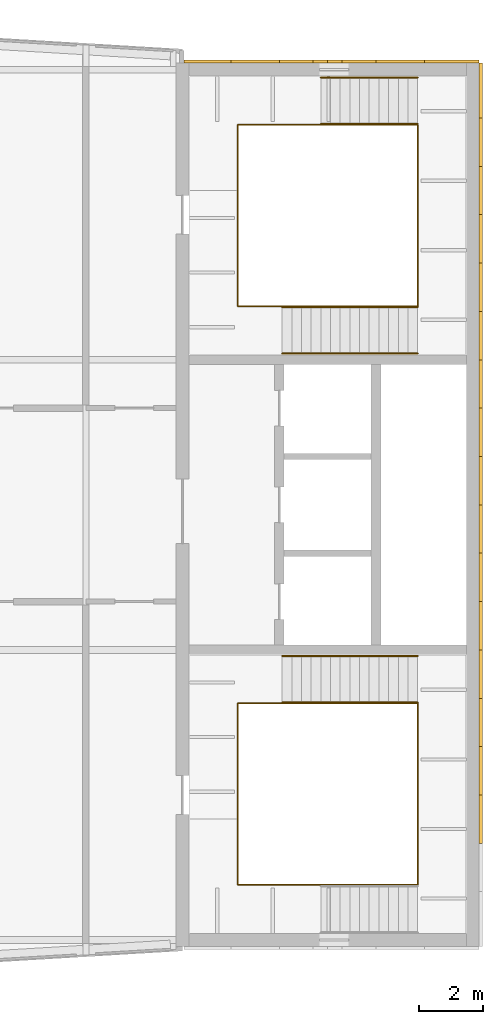
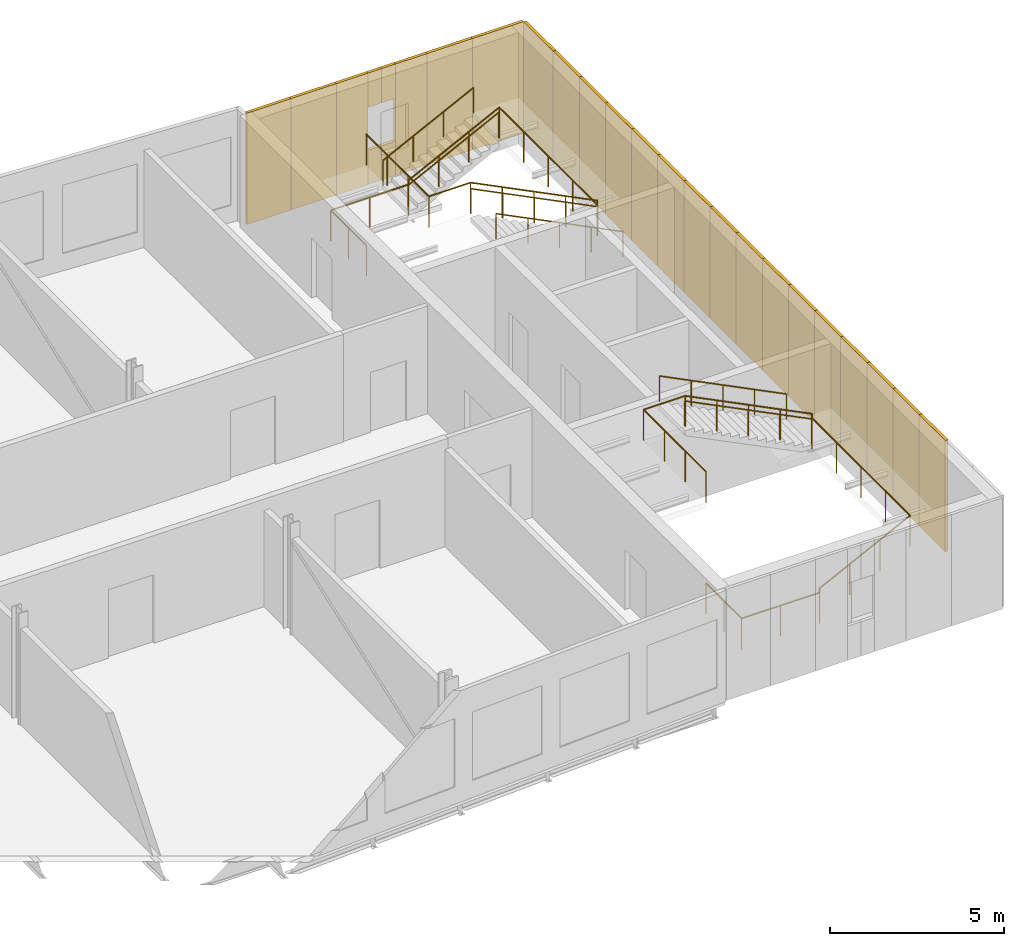
# One storey, part 9 of 9: 26 coverings, 8 railings.
"""IFC4 building model written with IfcOpenShell, lengths in metres."""

from ifc_helpers import new_model, si_unit, direction, frame, origin, origin_2d, place, context, subcontext, project, spatial, rectangle, circle, extrude, material, layer, layer_set, type_object, element, save


model = new_model("IFC4")

# Units and contexts
model_context = context("Model", 3, precision=1e-05, world=origin(), true_north=direction((0.0, 1.0)))
body_context = subcontext(model_context, "Body", "Model", "MODEL_VIEW")
ifc_project = project(units=[si_unit("LENGTHUNIT", "METRE"), si_unit("AREAUNIT", "SQUARE_METRE"), si_unit("VOLUMEUNIT", "CUBIC_METRE"), si_unit("PLANEANGLEUNIT", "RADIAN"), si_unit("MASSUNIT", "GRAM", prefix="KILO")], contexts=[model_context])

# Site, building, storey
site_placement = place(None, origin())
site = spatial("IfcSite", under=ifc_project, at=site_placement, CompositionType="ELEMENT")
building_placement = place(site_placement, origin())
building = spatial("IfcBuilding", under=site, at=building_placement, Name="Azimuth Sports and Learning Centre", CompositionType="ELEMENT")
storey_placement = place(building_placement, frame((0.0, 0.0, 51.89990234375)))
storey = spatial("IfcBuildingStorey", under=building, at=storey_placement, Name="L11", CompositionType="ELEMENT", Elevation=51.89990234375)

# Coverings
ifc_material_1 = material(Name="Cladding panel")
ifc_layer = layer(ifc_material_1, 0.10009765625)
ifc_layer_set = layer_set([ifc_layer], Name="Cladding panel")
covering_type = type_object("IfcCoveringType", Name="Cladding panel 100", PredefinedType="CLADDING", material=ifc_layer_set)
for number, where, z_axis, x_axis, name in (
    (1, (117.25, 93.75, 0.000244140625), (0.0, 0.0, 1.0), (0.0, 1.0, 0.0), "Cladding panel E-CORE E L11 3"),
    (2, (117.25, 95.25, 0.000244140625), (0.0, 0.0, 1.0), (0.0, 1.0, 0.0), "Cladding panel E-CORE E L11 4"),
    (3, (117.25, 96.75, 0.000244140625), (0.0, 0.0, 1.0), (0.0, 1.0, 0.0), "Cladding panel E-CORE E L11 5"),
    (4, (117.25, 98.25, 0.000244140625), (0.0, 0.0, 1.0), (0.0, 1.0, 0.0), "Cladding panel E-CORE E L11 6"),
    (5, (117.25, 99.75, 0.000244140625), (0.0, 0.0, 1.0), (0.0, 1.0, 0.0), "Cladding panel E-CORE E L11 7"),
    (6, (117.25, 101.25, 0.000244140625), (0.0, 0.0, 1.0), (0.0, 1.0, 0.0), "Cladding panel E-CORE E L11 8"),
    (7, (117.25, 102.75, 0.000244140625), (0.0, 0.0, 1.0), (0.0, 1.0, 0.0), "Cladding panel E-CORE E L11 9"),
    (8, (117.25, 104.25, 0.000244140625), (0.0, 0.0, 1.0), (0.0, 1.0, 0.0), "Cladding panel E-CORE E L11 10"),
    (9, (117.25, 105.75, 0.000244140625), (0.0, 0.0, 1.0), (0.0, 1.0, 0.0), "Cladding panel E-CORE E L11 11"),
    (10, (117.25, 107.25, 0.000244140625), (0.0, 0.0, 1.0), (0.0, 1.0, 0.0), "Cladding panel E-CORE E L11 12"),
    (11, (117.25, 108.75, 0.000244140625), (0.0, 0.0, 1.0), (0.0, 1.0, 0.0), "Cladding panel E-CORE E L11 13"),
    (12, (117.25, 110.25, 0.000244140625), (0.0, 0.0, 1.0), (0.0, 1.0, 0.0), "Cladding panel E-CORE E L11 14"),
    (13, (117.25, 111.75, 0.000244140625), (0.0, 0.0, 1.0), (0.0, 1.0, 0.0), "Cladding panel E-CORE E L11 15"),
    (14, (117.25, 113.25, 0.000244140625), (0.0, 0.0, 1.0), (0.0, 1.0, 0.0), "Cladding panel E-CORE E L11 16"),
    (15, (117.25, 114.75, 0.000244140625), (0.0, 0.0, 1.0), (0.0, 1.0, 0.0), "Cladding panel E-CORE E L11 17"),
):
    element("IfcCovering", number, at=place(storey_placement, frame(where, z_axis=z_axis, x_axis=x_axis)), inside=storey, type_object=covering_type, Name=name, PredefinedType="CLADDING", context=body_context, shape_type="SweptSolid", body=[
        extrude(rectangle(XDim=1.5, YDim=0.10009765625, at=origin_2d()), origin(), (0.0, 0.0, 1.0), 3.89990234375),
    ])
for number, where, z_axis, x_axis, name in (
    (16, (117.25, 116.35009765625, 0.000244140625), (0.0, 0.0, 1.0), (0.0, 1.0, 0.0), "Cladding panel E-CORE E L11 18"),
    (17, (116.35009765625, 117.25, 0.000244140625), (0.0, 0.0, 1.0), (-1.0, 0.0, 0.0), "Cladding panel N-CORE E L11 1"),
):
    element("IfcCovering", number, at=place(storey_placement, frame(where, z_axis=z_axis, x_axis=x_axis)), inside=storey, type_object=covering_type, Name=name, PredefinedType="CLADDING", context=body_context, shape_type="SweptSolid", body=[
        extrude(rectangle(XDim=1.699951171875, YDim=0.10009765625, at=origin_2d()), origin(), (0.0, 0.0, 1.0), 3.89990234375),
    ])
covering_1_placement = place(storey_placement, frame((114.75, 117.25, 0.000244140625), z_axis=(0.0, 0.0, 1.0), x_axis=(-1.0, 0.0, 0.0)))
element("IfcCovering", 18, at=covering_1_placement, inside=storey, type_object=covering_type, Name="Cladding panel N-CORE E L11 2", PredefinedType="CLADDING", context=body_context, shape_type="SweptSolid", body=[
    extrude(rectangle(XDim=1.5, YDim=0.10009765625, at=origin_2d()), origin(), (0.0, 0.0, 1.0), 3.89990234375),
])
covering_2_placement = place(storey_placement, frame((113.47509765625, 117.25, 0.000244140625), z_axis=(0.0, 0.0, 1.0), x_axis=(-1.0, 0.0, 0.0)))
element("IfcCovering", 19, at=covering_2_placement, inside=storey, type_object=covering_type, Name="Cladding panel N-CORE E L11 3", PredefinedType="CLADDING", context=body_context, shape_type="SweptSolid", body=[
    extrude(rectangle(XDim=1.050048828125, YDim=0.10009765625, at=origin_2d()), origin(), (0.0, 0.0, 1.0), 3.89990234375),
])
for number, where, z_axis, x_axis, name in (
    (20, (112.72509765625, 117.25, 0.0), (0.0, 0.0, 1.0), (-1.0, 0.0, 0.0), "Cladding panel N-CORE E L11 4"),
    (21, (112.72509765625, 117.25, 2.7001953125), (0.0, 0.0, 1.0), (-1.0, 0.0, 0.0), "Cladding panel N-CORE E L11 5"),
):
    element("IfcCovering", number, at=place(storey_placement, frame(where, z_axis=z_axis, x_axis=x_axis)), inside=storey, type_object=covering_type, Name=name, PredefinedType="CLADDING", context=body_context, shape_type="SweptSolid", body=[
        extrude(rectangle(XDim=0.449951171875, YDim=0.10009765625, at=origin_2d()), origin(), (0.0, 0.0, 1.0), 1.199951171875),
    ])
covering_3_placement = place(storey_placement, frame((111.52490234375, 117.25, 0.000244140625), z_axis=(0.0, 0.0, 1.0), x_axis=(-1.0, 0.0, 0.0)))
element("IfcCovering", 22, at=covering_3_placement, inside=storey, type_object=covering_type, Name="Cladding panel N-CORE E L11 6", PredefinedType="CLADDING", context=body_context, shape_type="SweptSolid", body=[
    extrude(rectangle(XDim=1.050048828125, YDim=0.10009765625, at=origin_2d()), origin(), (0.0, 0.0, 1.0), 3.89990234375),
])
for number, where, z_axis, x_axis, name in (
    (23, (112.27490234375, 117.25, 0.0), (0.0, 0.0, 1.0), (-1.0, 0.0, 0.0), "Cladding panel N-CORE E L11 7"),
    (24, (112.27490234375, 117.25, 2.7001953125), (0.0, 0.0, 1.0), (-1.0, 0.0, 0.0), "Cladding panel N-CORE E L11 8"),
):
    element("IfcCovering", number, at=place(storey_placement, frame(where, z_axis=z_axis, x_axis=x_axis)), inside=storey, type_object=covering_type, Name=name, PredefinedType="CLADDING", context=body_context, shape_type="SweptSolid", body=[
        extrude(rectangle(XDim=0.449951171875, YDim=0.10009765625, at=origin_2d()), origin(), (0.0, 0.0, 1.0), 1.199951171875),
    ])
covering_4_placement = place(storey_placement, frame((110.25, 117.25, 0.000244140625), z_axis=(0.0, 0.0, 1.0), x_axis=(-1.0, 0.0, 0.0)))
element("IfcCovering", 25, at=covering_4_placement, inside=storey, type_object=covering_type, Name="Cladding panel N-CORE E L11 9", PredefinedType="CLADDING", context=body_context, shape_type="SweptSolid", body=[
    extrude(rectangle(XDim=1.5, YDim=0.10009765625, at=origin_2d()), origin(), (0.0, 0.0, 1.0), 3.89990234375),
])
covering_5_placement = place(storey_placement, frame((108.77001953125, 117.25, 0.000244140625), z_axis=(0.0, 0.0, 1.0), x_axis=(-1.0, 0.0, 0.0)))
element("IfcCovering", 26, at=covering_5_placement, inside=storey, type_object=covering_type, Name="Cladding panel N-CORE E L11 10", PredefinedType="CLADDING", context=body_context, shape_type="SweptSolid", body=[
    extrude(rectangle(XDim=1.4599609375, YDim=0.10009765625, at=origin_2d()), origin(), (0.0, 0.0, 1.0), 3.89990234375),
])

# Railings
ifc_material_2 = material(Name="Stainless steel", Category="steel")
railing_type_1 = type_object("IfcRailingType", Name="Stair guard 1100", PredefinedType="GUARDRAIL", material=ifc_material_2)
railing_1_placement = place(storey_placement, frame((109.7099609375, 93.75, 0.0)))
element("IfcRailing", 27, at=railing_1_placement, inside=storey, type_object=railing_type_1, Name="Guard E1 L11 well", PredefinedType="GUARDRAIL", context=body_context, shape_type="SweptSolid", body=[
    extrude(circle(Radius=0.02392578125, at=origin_2d()), frame((0.0, 0.0, 1.076171875), z_axis=(0.0, -1.0, 0.0), x_axis=(1.0, 0.0, 0.0)), (0.0, 0.0, 1.0), 2.0400390625),
    extrude(circle(Radius=0.02392578125, at=origin_2d()), frame((0.0, -2.0400390625, 1.076171875), z_axis=(1.0, 0.0, 0.0), x_axis=(0.0, 1.0, 0.0)), (0.0, 0.0, 1.0), 2.580078125),
    extrude(circle(Radius=0.02392578125, at=origin_2d()), frame((2.580078125, -2.0400390625, 1.076171875), z_axis=(0.0, 0.0, 1.0), x_axis=(1.0, 0.0, 0.0)), (0.0, 0.0, 1.0), 0.150146484375),
    extrude(circle(Radius=0.02392578125, at=origin_2d()), frame((2.580078125, -2.0400390625, 1.22607421875), z_axis=(0.894427191, 0.0, 0.4472135955), x_axis=(0.0, 1.0, 0.0)), (0.0, 0.0, 1.0), 3.35400390625),
    extrude(circle(Radius=0.02392578125, at=origin_2d()), frame((5.580078125, -2.0400390625, 2.72607421875), z_axis=(0.0, 1.0, 0.0), x_axis=(-1.0, 0.0, 0.0)), (0.0, 0.0, 1.0), 5.630126953125),
    extrude(circle(Radius=0.02392578125, at=origin_2d()), frame((5.580078125, 3.590087890625, 2.72607421875), z_axis=(0.0, 0.0, 1.0), x_axis=(1.0, 0.0, 0.0)), (0.0, 0.0, 1.0), 0.14990234375),
    extrude(circle(Radius=0.02392578125, at=origin_2d()), frame((5.580078125, 3.590087890625, 2.8759765625), z_axis=(-0.894416792377, 0.0, 0.447234392142), x_axis=(0.0, -1.0, 0.0)), (0.0, 0.0, 1.0), 4.69580078125),
    extrude(circle(Radius=0.02392578125, at=origin_2d()), frame((1.380126953125, 3.590087890625, 4.97607421875), z_axis=(-1.0, 0.0, 0.0), x_axis=(0.0, -1.0, 0.0)), (0.0, 0.0, 1.0), 1.380126953125),
    extrude(circle(Radius=0.02392578125, at=origin_2d()), frame((0.0, 3.590087890625, 4.97607421875), z_axis=(0.0, -1.0, 0.0), x_axis=(1.0, 0.0, 0.0)), (0.0, 0.0, 1.0), 3.590087890625),
    extrude(circle(Radius=0.01611328125, at=origin_2d()), origin(), (0.0, 0.0, 1.0), 1.052001953125),
    extrude(circle(Radius=0.01611328125, at=origin_2d()), frame((0.0, -1.02001953125, 0.0)), (0.0, 0.0, 1.0), 1.052001953125),
    extrude(circle(Radius=0.01611328125, at=origin_2d()), frame((0.0, -2.0400390625, 0.0)), (0.0, 0.0, 1.0), 1.052001953125),
    extrude(circle(Radius=0.01611328125, at=origin_2d()), frame((1.2900390625, -2.0400390625, 0.0)), (0.0, 0.0, 1.0), 1.052001953125),
    extrude(circle(Radius=0.01611328125, at=origin_2d()), frame((2.580078125, -2.0400390625, 0.0)), (0.0, 0.0, 1.0), 1.052001953125),
    extrude(circle(Radius=0.01611328125, at=origin_2d()), frame((2.580078125, -2.0400390625, 0.150146484375)), (0.0, 0.0, 1.0), 1.052001953125),
    extrude(circle(Radius=0.01611328125, at=origin_2d()), frame((3.580078125, -2.0400390625, 0.650146484375)), (0.0, 0.0, 1.0), 1.052001953125),
    extrude(circle(Radius=0.01611328125, at=origin_2d()), frame((4.580078125, -2.0400390625, 1.150146484375)), (0.0, 0.0, 1.0), 1.052001953125),
    extrude(circle(Radius=0.01611328125, at=origin_2d()), frame((5.580078125, -2.0400390625, 1.650146484375)), (0.0, 0.0, 1.0), 1.052001953125),
    extrude(circle(Radius=0.01611328125, at=origin_2d()), frame((5.580078125, -0.632568359375, 1.650146484375)), (0.0, 0.0, 1.0), 1.052001953125),
    extrude(circle(Radius=0.01611328125, at=origin_2d()), frame((5.580078125, 0.77490234375, 1.650146484375)), (0.0, 0.0, 1.0), 1.052001953125),
    extrude(circle(Radius=0.01611328125, at=origin_2d()), frame((5.580078125, 2.1826171875, 1.650146484375)), (0.0, 0.0, 1.0), 1.052001953125),
    extrude(circle(Radius=0.01611328125, at=origin_2d()), frame((5.580078125, 3.590087890625, 1.650146484375)), (0.0, 0.0, 1.0), 1.052001953125),
    extrude(circle(Radius=0.01611328125, at=origin_2d()), frame((5.580078125, 3.590087890625, 1.800048828125)), (0.0, 0.0, 1.0), 1.052001953125),
    extrude(circle(Radius=0.01611328125, at=origin_2d()), frame((4.530029296875, 3.590087890625, 2.3251953125)), (0.0, 0.0, 1.0), 1.052001953125),
    extrude(circle(Radius=0.01611328125, at=origin_2d()), frame((3.47998046875, 3.590087890625, 2.85009765625)), (0.0, 0.0, 1.0), 1.052001953125),
    extrude(circle(Radius=0.01611328125, at=origin_2d()), frame((2.43017578125, 3.590087890625, 3.375)), (0.0, 0.0, 1.0), 1.052001953125),
    extrude(circle(Radius=0.01611328125, at=origin_2d()), frame((1.380126953125, 3.590087890625, 3.900146484375)), (0.0, 0.0, 1.0), 1.052001953125),
    extrude(circle(Radius=0.01611328125, at=origin_2d()), frame((0.0, 3.590087890625, 3.900146484375)), (0.0, 0.0, 1.0), 1.052001953125),
    extrude(circle(Radius=0.01611328125, at=origin_2d()), frame((0.0, 2.393310546875, 3.900146484375)), (0.0, 0.0, 1.0), 1.052001953125),
    extrude(circle(Radius=0.01611328125, at=origin_2d()), frame((0.0, 1.19677734375, 3.900146484375)), (0.0, 0.0, 1.0), 1.052001953125),
    extrude(circle(Radius=0.01611328125, at=origin_2d()), frame((0.0, 0.0, 3.900146484375)), (0.0, 0.0, 1.0), 1.052001953125),
])
railing_2_placement = place(storey_placement, frame((109.7099609375, 113.25, 0.0)))
element("IfcRailing", 28, at=railing_2_placement, inside=storey, type_object=railing_type_1, Name="Guard E2 L11 well", PredefinedType="GUARDRAIL", context=body_context, shape_type="SweptSolid", body=[
    extrude(circle(Radius=0.02392578125, at=origin_2d()), frame((0.0, 0.0, 1.076171875), z_axis=(0.0, 1.0, 0.0), x_axis=(-1.0, 0.0, 0.0)), (0.0, 0.0, 1.0), 2.0400390625),
    extrude(circle(Radius=0.02392578125, at=origin_2d()), frame((0.0, 2.0400390625, 1.076171875), z_axis=(1.0, 0.0, 0.0), x_axis=(0.0, 1.0, 0.0)), (0.0, 0.0, 1.0), 2.580078125),
    extrude(circle(Radius=0.02392578125, at=origin_2d()), frame((2.580078125, 2.0400390625, 1.076171875), z_axis=(0.0, 0.0, 1.0), x_axis=(1.0, 0.0, 0.0)), (0.0, 0.0, 1.0), 0.150146484375),
    extrude(circle(Radius=0.02392578125, at=origin_2d()), frame((2.580078125, 2.0400390625, 1.22607421875), z_axis=(0.894427191, 0.0, 0.4472135955), x_axis=(0.0, 1.0, 0.0)), (0.0, 0.0, 1.0), 3.35400390625),
    extrude(circle(Radius=0.02392578125, at=origin_2d()), frame((5.580078125, 2.0400390625, 2.72607421875), z_axis=(0.0, -1.0, 0.0), x_axis=(1.0, 0.0, 0.0)), (0.0, 0.0, 1.0), 5.630126953125),
    extrude(circle(Radius=0.02392578125, at=origin_2d()), frame((5.580078125, -3.590087890625, 2.72607421875), z_axis=(0.0, 0.0, 1.0), x_axis=(1.0, 0.0, 0.0)), (0.0, 0.0, 1.0), 0.14990234375),
    extrude(circle(Radius=0.02392578125, at=origin_2d()), frame((5.580078125, -3.590087890625, 2.8759765625), z_axis=(-0.894416792377, 0.0, 0.447234392142), x_axis=(0.0, -1.0, 0.0)), (0.0, 0.0, 1.0), 4.69580078125),
    extrude(circle(Radius=0.02392578125, at=origin_2d()), frame((1.380126953125, -3.590087890625, 4.97607421875), z_axis=(-1.0, 0.0, 0.0), x_axis=(0.0, -1.0, 0.0)), (0.0, 0.0, 1.0), 1.380126953125),
    extrude(circle(Radius=0.02392578125, at=origin_2d()), frame((0.0, -3.590087890625, 4.97607421875), z_axis=(0.0, 1.0, 0.0), x_axis=(-1.0, 0.0, 0.0)), (0.0, 0.0, 1.0), 3.590087890625),
    extrude(circle(Radius=0.01611328125, at=origin_2d()), origin(), (0.0, 0.0, 1.0), 1.052001953125),
    extrude(circle(Radius=0.01611328125, at=origin_2d()), frame((0.0, 1.02001953125, 0.0)), (0.0, 0.0, 1.0), 1.052001953125),
    extrude(circle(Radius=0.01611328125, at=origin_2d()), frame((0.0, 2.0400390625, 0.0)), (0.0, 0.0, 1.0), 1.052001953125),
    extrude(circle(Radius=0.01611328125, at=origin_2d()), frame((1.2900390625, 2.0400390625, 0.0)), (0.0, 0.0, 1.0), 1.052001953125),
    extrude(circle(Radius=0.01611328125, at=origin_2d()), frame((2.580078125, 2.0400390625, 0.0)), (0.0, 0.0, 1.0), 1.052001953125),
    extrude(circle(Radius=0.01611328125, at=origin_2d()), frame((2.580078125, 2.0400390625, 0.150146484375)), (0.0, 0.0, 1.0), 1.052001953125),
    extrude(circle(Radius=0.01611328125, at=origin_2d()), frame((3.580078125, 2.0400390625, 0.650146484375)), (0.0, 0.0, 1.0), 1.052001953125),
    extrude(circle(Radius=0.01611328125, at=origin_2d()), frame((4.580078125, 2.0400390625, 1.150146484375)), (0.0, 0.0, 1.0), 1.052001953125),
    extrude(circle(Radius=0.01611328125, at=origin_2d()), frame((5.580078125, 2.0400390625, 1.650146484375)), (0.0, 0.0, 1.0), 1.052001953125),
    extrude(circle(Radius=0.01611328125, at=origin_2d()), frame((5.580078125, 0.632568359375, 1.650146484375)), (0.0, 0.0, 1.0), 1.052001953125),
    extrude(circle(Radius=0.01611328125, at=origin_2d()), frame((5.580078125, -0.77490234375, 1.650146484375)), (0.0, 0.0, 1.0), 1.052001953125),
    extrude(circle(Radius=0.01611328125, at=origin_2d()), frame((5.580078125, -2.1826171875, 1.650146484375)), (0.0, 0.0, 1.0), 1.052001953125),
    extrude(circle(Radius=0.01611328125, at=origin_2d()), frame((5.580078125, -3.590087890625, 1.650146484375)), (0.0, 0.0, 1.0), 1.052001953125),
    extrude(circle(Radius=0.01611328125, at=origin_2d()), frame((5.580078125, -3.590087890625, 1.800048828125)), (0.0, 0.0, 1.0), 1.052001953125),
    extrude(circle(Radius=0.01611328125, at=origin_2d()), frame((4.530029296875, -3.590087890625, 2.3251953125)), (0.0, 0.0, 1.0), 1.052001953125),
    extrude(circle(Radius=0.01611328125, at=origin_2d()), frame((3.47998046875, -3.590087890625, 2.85009765625)), (0.0, 0.0, 1.0), 1.052001953125),
    extrude(circle(Radius=0.01611328125, at=origin_2d()), frame((2.43017578125, -3.590087890625, 3.375)), (0.0, 0.0, 1.0), 1.052001953125),
    extrude(circle(Radius=0.01611328125, at=origin_2d()), frame((1.380126953125, -3.590087890625, 3.900146484375)), (0.0, 0.0, 1.0), 1.052001953125),
    extrude(circle(Radius=0.01611328125, at=origin_2d()), frame((0.0, -3.590087890625, 3.900146484375)), (0.0, 0.0, 1.0), 1.052001953125),
    extrude(circle(Radius=0.01611328125, at=origin_2d()), frame((0.0, -2.393310546875, 3.900146484375)), (0.0, 0.0, 1.0), 1.052001953125),
    extrude(circle(Radius=0.01611328125, at=origin_2d()), frame((0.0, -1.19677734375, 3.900146484375)), (0.0, 0.0, 1.0), 1.052001953125),
    extrude(circle(Radius=0.01611328125, at=origin_2d()), frame((0.0, 0.0, 3.900146484375)), (0.0, 0.0, 1.0), 1.052001953125),
])
ifc_material_3 = material(Name="Stainless steel", Category="steel")
railing_type_2 = type_object("IfcRailingType", Name="Stair handrail 42", PredefinedType="HANDRAIL", material=ifc_material_3)
for number, where, name in (
    (29, (115.2900390625, 97.3701171875, 1.800048828125), "Handrail E1 L11 flight 2 inner"),
    (30, (115.2900390625, 98.81005859375, 1.800048828125), "Handrail E1 L11 flight 2 outer"),
):
    element("IfcRailing", number, at=place(storey_placement, frame(where)), inside=storey, type_object=railing_type_2, Name=name, PredefinedType="HANDRAIL", context=body_context, shape_type="SweptSolid", body=[
        extrude(circle(Radius=0.02099609375, at=origin_2d()), frame((0.0, 0.0, 0.87890625), z_axis=(-0.894416792377, 0.0, 0.447234392142), x_axis=(0.0, -1.0, 0.0)), (0.0, 0.0, 1.0), 4.69580078125),
        extrude(circle(Radius=0.01611328125, at=origin_2d()), origin(), (0.0, 0.0, 1.0), 0.85791015625),
        extrude(circle(Radius=0.01611328125, at=origin_2d()), frame((-1.050048828125, 0.0, 0.52490234375)), (0.0, 0.0, 1.0), 0.85791015625),
        extrude(circle(Radius=0.01611328125, at=origin_2d()), frame((-2.10009765625, 0.0, 1.050048828125)), (0.0, 0.0, 1.0), 0.85791015625),
        extrude(circle(Radius=0.01611328125, at=origin_2d()), frame((-3.14990234375, 0.0, 1.5751953125)), (0.0, 0.0, 1.0), 0.85791015625),
        extrude(circle(Radius=0.01611328125, at=origin_2d()), frame((-4.199951171875, 0.0, 2.10009765625)), (0.0, 0.0, 1.0), 0.85791015625),
    ])
for number, where, name in (
    (31, (112.2900390625, 115.320068359375, 0.150146484375), "Handrail E2 L11 flight 1 inner"),
    (32, (112.2900390625, 116.760009765625, 0.150146484375), "Handrail E2 L11 flight 1 outer"),
):
    element("IfcRailing", number, at=place(storey_placement, frame(where)), inside=storey, type_object=railing_type_2, Name=name, PredefinedType="HANDRAIL", context=body_context, shape_type="SweptSolid", body=[
        extrude(circle(Radius=0.02099609375, at=origin_2d()), frame((0.0, 0.0, 0.87890625), z_axis=(0.894427191, 0.0, 0.4472135955), x_axis=(0.0, 1.0, 0.0)), (0.0, 0.0, 1.0), 3.35400390625),
        extrude(circle(Radius=0.01611328125, at=origin_2d()), origin(), (0.0, 0.0, 1.0), 0.85791015625),
        extrude(circle(Radius=0.01611328125, at=origin_2d()), frame((1.0, 0.0, 0.5)), (0.0, 0.0, 1.0), 0.85791015625),
        extrude(circle(Radius=0.01611328125, at=origin_2d()), frame((2.0, 0.0, 1.0)), (0.0, 0.0, 1.0), 0.85791015625),
        extrude(circle(Radius=0.01611328125, at=origin_2d()), frame((3.0, 0.0, 1.5)), (0.0, 0.0, 1.0), 0.85791015625),
    ])
for number, where, name in (
    (33, (115.2900390625, 109.6298828125, 1.800048828125), "Handrail E2 L11 flight 2 inner"),
    (34, (115.2900390625, 108.18994140625, 1.800048828125), "Handrail E2 L11 flight 2 outer"),
):
    element("IfcRailing", number, at=place(storey_placement, frame(where)), inside=storey, type_object=railing_type_2, Name=name, PredefinedType="HANDRAIL", context=body_context, shape_type="SweptSolid", body=[
        extrude(circle(Radius=0.02099609375, at=origin_2d()), frame((0.0, 0.0, 0.87890625), z_axis=(-0.894416792377, 0.0, 0.447234392142), x_axis=(0.0, -1.0, 0.0)), (0.0, 0.0, 1.0), 4.69580078125),
        extrude(circle(Radius=0.01611328125, at=origin_2d()), origin(), (0.0, 0.0, 1.0), 0.85791015625),
        extrude(circle(Radius=0.01611328125, at=origin_2d()), frame((-1.050048828125, 0.0, 0.52490234375)), (0.0, 0.0, 1.0), 0.85791015625),
        extrude(circle(Radius=0.01611328125, at=origin_2d()), frame((-2.10009765625, 0.0, 1.050048828125)), (0.0, 0.0, 1.0), 0.85791015625),
        extrude(circle(Radius=0.01611328125, at=origin_2d()), frame((-3.14990234375, 0.0, 1.5751953125)), (0.0, 0.0, 1.0), 0.85791015625),
        extrude(circle(Radius=0.01611328125, at=origin_2d()), frame((-4.199951171875, 0.0, 2.10009765625)), (0.0, 0.0, 1.0), 0.85791015625),
    ])

save(model, "model.ifc")
